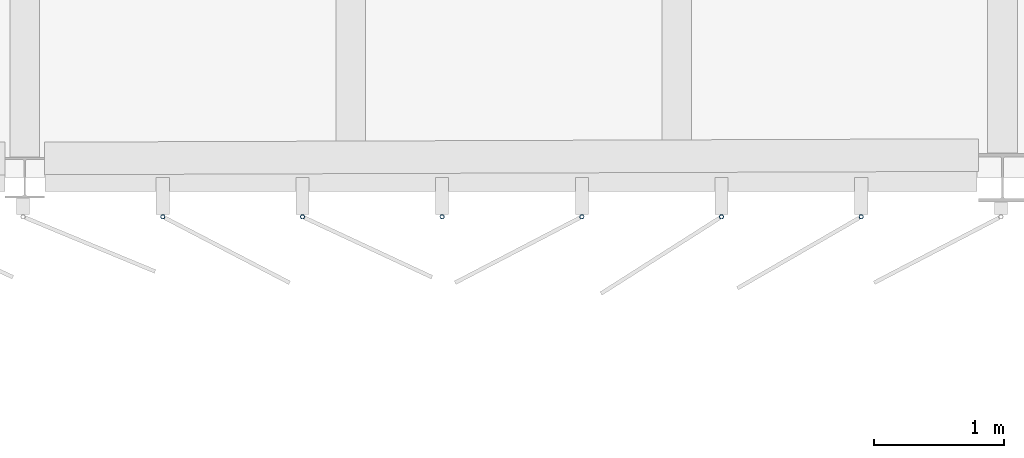
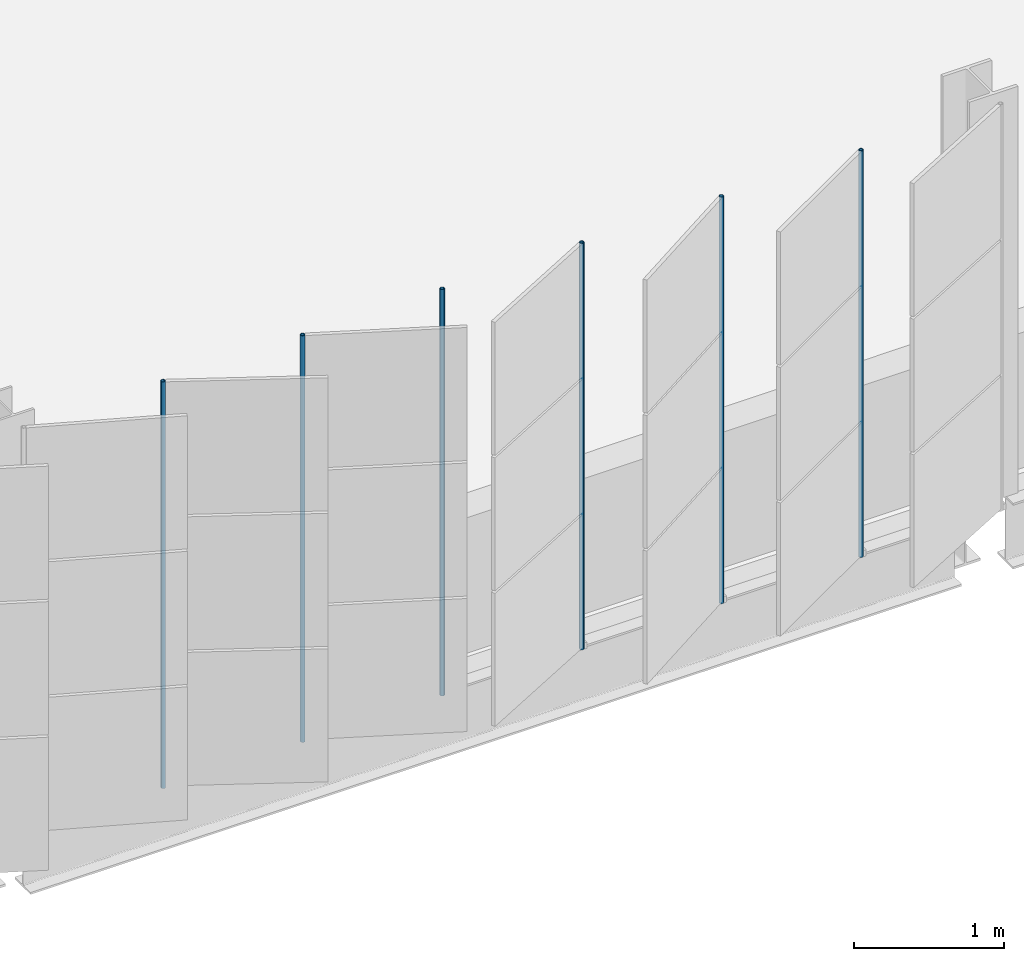
# One storey, part 90 of 214: 6 discrete accessories.
"""IFC4 building model written with IfcOpenShell, lengths in metres."""

from ifc_helpers import new_model, si_unit, direction, frame, origin, origin_2d, place, context, subcontext, project, spatial, hollow_circle, extrude, material, material_profile, profile_set, type_object, element, save


model = new_model("IFC4")

# Units and contexts
model_context = context("Model", 3, precision=1e-05, world=origin(), true_north=direction((0.0, 1.0)))
body_context = subcontext(model_context, "Body", "Model", "MODEL_VIEW")
ifc_project = project(units=[si_unit("LENGTHUNIT", "METRE"), si_unit("AREAUNIT", "SQUARE_METRE"), si_unit("VOLUMEUNIT", "CUBIC_METRE"), si_unit("PLANEANGLEUNIT", "RADIAN"), si_unit("MASSUNIT", "GRAM", prefix="KILO")], contexts=[model_context])

# Site, building, storey
site_placement = place(None, origin())
site = spatial("IfcSite", under=ifc_project, at=site_placement, CompositionType="ELEMENT")
building_placement = place(site_placement, origin())
building = spatial("IfcBuilding", under=site, at=building_placement, Name="Parallax Yard Mobility Hub", CompositionType="ELEMENT")
storey_placement = place(building_placement, frame((0.0, 0.0, 3.300048828125)))
storey = spatial("IfcBuildingStorey", under=building, at=storey_placement, Name="L01", CompositionType="ELEMENT", Elevation=3.300048828125)

# Discrete accessories
ifc_material = material(Name="Steel ASTM A500 Gr C, hot-dip galvanised", Category="steel")
ifc_material_profile = material_profile(ifc_material, hollow_circle(Radius=0.016845703125, WallThickness=0.003173828125, at=origin_2d()), Name="CHS 33.7x3.2")
ifc_profile_set = profile_set([ifc_material_profile], Name="Steel ASTM A500 Gr C, hot-dip galvanised")
discrete_accessory_type = type_object("IfcDiscreteAccessoryType", Name="Hinge post CHS 33.7x3.2", PredefinedType="BRACKET", material=ifc_profile_set)
for number, where, z_axis, x_axis, name in (
    (1, (53.558349609375, 112.199951171875, 0.0), (0.0, 0.0, 1.0), (1.0, 0.0, 0.0), "Hinge post bay 4.2 level L01"),
    (2, (54.6298828125, 112.199951171875, 0.0), (0.0, 0.0, 1.0), (1.0, 0.0, 0.0), "Hinge post bay 4.3 level L01"),
    (3, (55.701416015625, 112.199951171875, 0.0), (0.0, 0.0, 1.0), (1.0, 0.0, 0.0), "Hinge post bay 4.4 level L01"),
    (4, (56.772705078125, 112.199951171875, 0.0), (0.0, 0.0, 1.0), (1.0, 0.0, 0.0), "Hinge post bay 4.5 level L01"),
    (5, (57.84423828125, 112.199951171875, 0.0), (0.0, 0.0, 1.0), (1.0, 0.0, 0.0), "Hinge post bay 4.6 level L01"),
    (6, (58.915771484375, 112.199951171875, 0.0), (0.0, 0.0, 1.0), (1.0, 0.0, 0.0), "Hinge post bay 4.7 level L01"),
):
    element("IfcDiscreteAccessory", number, at=place(storey_placement, frame(where, z_axis=z_axis, x_axis=x_axis)), inside=storey, type_object=discrete_accessory_type, Name=name, PredefinedType="BRACKET", context=body_context, shape_type="SweptSolid", body=[
        extrude(hollow_circle(Radius=0.016845703125, WallThickness=0.003173828125, at=origin_2d()), origin(), (0.0, 0.0, 1.0), 3.300048828125),
    ])

save(model, "model.ifc")
